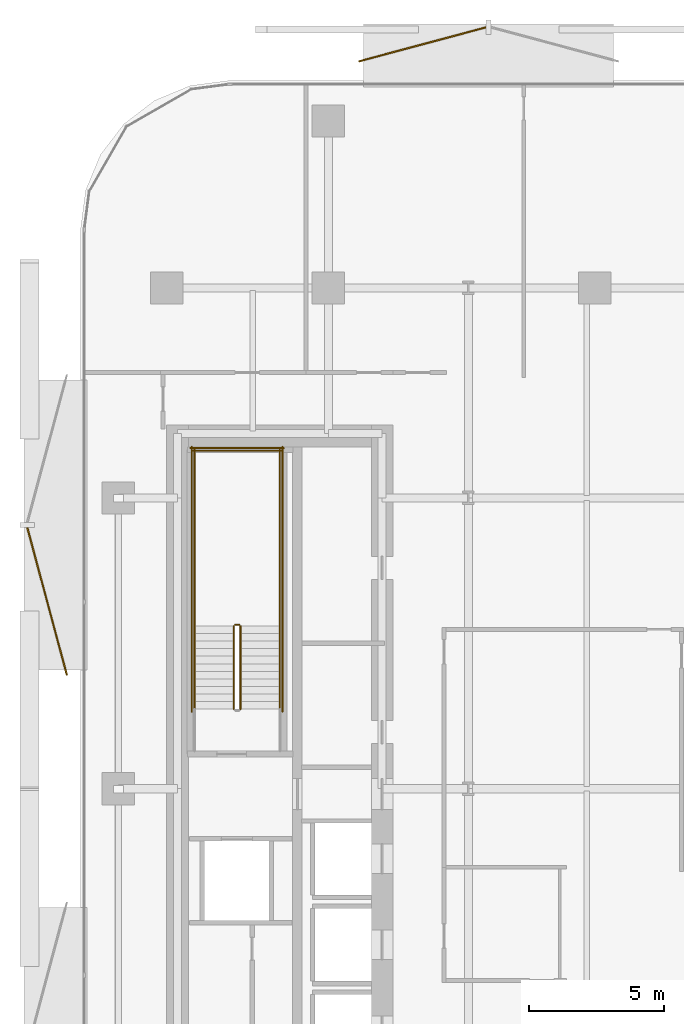
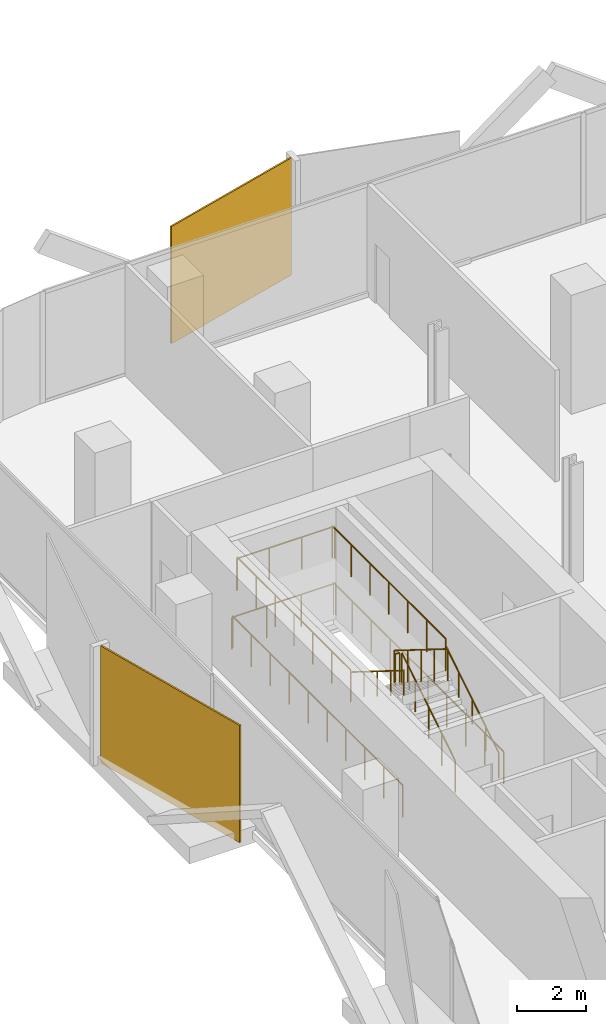
# One storey, part 15 of 16: 11 railings, 2 coverings.
"""IFC4 building model written with IfcOpenShell, lengths in metres."""

from ifc_helpers import new_model, si_unit, direction, frame, origin, origin_2d, place, context, subcontext, project, spatial, rectangle, circle, extrude, material, layer, layer_set, type_object, element, save


model = new_model("IFC4")

# Units and contexts
model_context = context("Model", 3, precision=1e-05, world=origin(), true_north=direction((0.0, 1.0)))
body_context = subcontext(model_context, "Body", "Model", "MODEL_VIEW")
ifc_project = project(units=[si_unit("LENGTHUNIT", "METRE"), si_unit("AREAUNIT", "SQUARE_METRE"), si_unit("VOLUMEUNIT", "CUBIC_METRE"), si_unit("PLANEANGLEUNIT", "RADIAN"), si_unit("MASSUNIT", "GRAM", prefix="KILO")], contexts=[model_context])

# Site, building, storey
site_placement = place(None, origin())
site = spatial("IfcSite", under=ifc_project, at=site_placement, CompositionType="ELEMENT")
building_placement = place(site_placement, origin())
building = spatial("IfcBuilding", under=site, at=building_placement, Name="Khairoan Windgate Tower", CompositionType="ELEMENT")
storey_placement = place(building_placement, frame((0.0, 0.0, 139.39990234375)))
storey = spatial("IfcBuildingStorey", under=building, at=storey_placement, Name="L32", CompositionType="ELEMENT", Elevation=139.39990234375)

# Coverings
ifc_material_1 = material(Name="Anodised Bronze Aluminium 6063-T6", Category="aluminium")
ifc_layer = layer(ifc_material_1, 0.054931640625, Name="Anodised Bronze Aluminium 6063-T6")
ifc_layer_set = layer_set([ifc_layer], Name="Anodised Bronze Aluminium 6063-T6")
covering_type = type_object("IfcCoveringType", Name="Perforated Bronze-Ceramic Folded Solar Screen Cladding BSC-1", PredefinedType="CLADDING", material=ifc_layer_set)
covering_1_placement = place(storey_placement, frame((-24.8447265625, 6.961669921875, -0.099609375), z_axis=(0.0, 0.0, 1.0), x_axis=(-0.258819045103, 0.965925826289, 0.0)))
element("IfcCovering", 1, at=covering_1_placement, inside=storey, type_object=covering_type, Name="L32 Folded Bronze Solar Screen Facet 204L", PredefinedType="CLADDING", context=body_context, shape_type="SweptSolid", body=[
    extrude(rectangle(XDim=5.680908203125, YDim=0.054931640625, at=origin_2d()), origin(), (0.0, 0.0, 1.0), 4.139892578125),
])
covering_2_placement = place(storey_placement, frame((-10.90087890625, 27.646240234375, -0.099609375), z_axis=(0.0, 0.0, 1.0), x_axis=(0.965925826289, 0.258819045103, 0.0)))
element("IfcCovering", 2, at=covering_2_placement, inside=storey, type_object=covering_type, Name="L32 Folded Bronze Solar Screen Facet 205L", PredefinedType="CLADDING", context=body_context, shape_type="SweptSolid", body=[
    extrude(rectangle(XDim=4.89794921875, YDim=0.054931640625, at=origin_2d()), origin(), (0.0, 0.0, 1.0), 4.139892578125),
])

# Railings
ifc_material_2 = material(Name="Anodised Bronze Aluminium 6063-T6", Category="aluminium")
railing_type_1 = type_object("IfcRailingType", Name="Stair Wall Handrail SHR-900", PredefinedType="HANDRAIL", material=ifc_material_2)
railing_1_placement = place(storey_placement, frame((-16.199951171875, 2.9599609375, 0.175048828125)))
element("IfcRailing", 3, at=railing_1_placement, inside=storey, type_object=railing_type_1, Name="L32 ST2 stair handrail 1", PredefinedType="HANDRAIL", context=body_context, shape_type="SweptSolid", body=[
    extrude(circle(Radius=0.02392578125, at=origin_2d()), frame((0.0, 0.0, 0.8759765625), z_axis=(0.0, 0.847998304005, 0.529998940003), x_axis=(-1.0, 0.0, 0.0)), (0.0, 0.0, 1.0), 3.632080078125),
    extrude(circle(Radius=0.02099609375, at=origin_2d()), origin(), (0.0, 0.0, 1.0), 0.851806640625),
    extrude(circle(Radius=0.02099609375, at=origin_2d()), frame((0.0, 0.77001953125, 0.481201171875)), (0.0, 0.0, 1.0), 0.851806640625),
    extrude(circle(Radius=0.02099609375, at=origin_2d()), frame((0.0, 1.5400390625, 0.96240234375)), (0.0, 0.0, 1.0), 0.851806640625),
    extrude(circle(Radius=0.02099609375, at=origin_2d()), frame((0.0, 2.31005859375, 1.44384765625)), (0.0, 0.0, 1.0), 0.851806640625),
    extrude(circle(Radius=0.02099609375, at=origin_2d()), frame((0.0, 3.080078125, 1.925048828125)), (0.0, 0.0, 1.0), 0.851806640625),
])
railing_2_placement = place(storey_placement, frame((-19.3701171875, 6.0400390625, 2.275146484375)))
element("IfcRailing", 4, at=railing_2_placement, inside=storey, type_object=railing_type_1, Name="L32 ST2 stair handrail 2", PredefinedType="HANDRAIL", context=body_context, shape_type="SweptSolid", body=[
    extrude(circle(Radius=0.02392578125, at=origin_2d()), frame((0.0, 0.0, 0.8759765625), z_axis=(0.0, -0.847998304005, 0.529998940003), x_axis=(1.0, 0.0, 0.0)), (0.0, 0.0, 1.0), 3.632080078125),
    extrude(circle(Radius=0.02099609375, at=origin_2d()), origin(), (0.0, 0.0, 1.0), 0.851806640625),
    extrude(circle(Radius=0.02099609375, at=origin_2d()), frame((0.0, -0.77001953125, 0.481201171875)), (0.0, 0.0, 1.0), 0.851806640625),
    extrude(circle(Radius=0.02099609375, at=origin_2d()), frame((0.0, -1.5400390625, 0.96240234375)), (0.0, 0.0, 1.0), 0.851806640625),
    extrude(circle(Radius=0.02099609375, at=origin_2d()), frame((0.0, -2.31005859375, 1.44384765625)), (0.0, 0.0, 1.0), 0.851806640625),
    extrude(circle(Radius=0.02099609375, at=origin_2d()), frame((0.0, -3.080078125, 1.925048828125)), (0.0, 0.0, 1.0), 0.851806640625),
])
ifc_material_3 = material(Name="Steel S355", Category="steel")
railing_type_2 = type_object("IfcRailingType", Name="Stairwell Safety Guardrail SGR-1150", PredefinedType="GUARDRAIL", material=ifc_material_3)
railing_3_placement = place(storey_placement, frame((-17.659912109375, 2.9599609375, 0.175048828125)))
element("IfcRailing", 5, at=railing_3_placement, inside=storey, type_object=railing_type_2, Name="L32 ST2 stair guard 1", PredefinedType="GUARDRAIL", context=body_context, shape_type="SweptSolid", body=[
    extrude(circle(Radius=0.02392578125, at=origin_2d()), frame((0.0, 0.0, 1.1259765625), z_axis=(0.0, 0.847998304005, 0.529998940003), x_axis=(-1.0, 0.0, 0.0)), (0.0, 0.0, 1.0), 3.632080078125),
    extrude(circle(Radius=0.02099609375, at=origin_2d()), origin(), (0.0, 0.0, 1.0), 1.101806640625),
    extrude(circle(Radius=0.02099609375, at=origin_2d()), frame((0.0, 0.77001953125, 0.481201171875)), (0.0, 0.0, 1.0), 1.101806640625),
    extrude(circle(Radius=0.02099609375, at=origin_2d()), frame((0.0, 1.5400390625, 0.96240234375)), (0.0, 0.0, 1.0), 1.101806640625),
    extrude(circle(Radius=0.02099609375, at=origin_2d()), frame((0.0, 2.31005859375, 1.44384765625)), (0.0, 0.0, 1.0), 1.101806640625),
    extrude(circle(Radius=0.02099609375, at=origin_2d()), frame((0.0, 3.080078125, 1.925048828125)), (0.0, 0.0, 1.0), 1.101806640625),
])
railing_4_placement = place(storey_placement, frame((-17.7099609375, 6.090087890625, 2.10009765625)))
element("IfcRailing", 6, at=railing_4_placement, inside=storey, type_object=railing_type_2, Name="L32 ST2 stair guard 2", PredefinedType="GUARDRAIL", context=body_context, shape_type="SweptSolid", body=[
    extrude(circle(Radius=0.02392578125, at=origin_2d()), frame((0.0, 0.0, 1.1259765625), z_axis=(-1.0, 0.0, 0.0), x_axis=(0.0, -1.0, 0.0)), (0.0, 0.0, 1.0), 0.150146484375),
    extrude(circle(Radius=0.02099609375, at=origin_2d()), origin(), (0.0, 0.0, 1.0), 1.101806640625),
    extrude(circle(Radius=0.02099609375, at=origin_2d()), frame((-0.150146484375, 0.0, 0.0)), (0.0, 0.0, 1.0), 1.101806640625),
])
for number, where, name in (
    (7, (-16.199951171875, 6.0400390625, 2.10009765625), "L32 ST2 stair guard 3"),
    (8, (-19.3701171875, 6.0400390625, 2.10009765625), "L32 ST2 stair guard 4"),
):
    element("IfcRailing", number, at=place(storey_placement, frame(where)), inside=storey, type_object=railing_type_2, Name=name, PredefinedType="GUARDRAIL", context=body_context, shape_type="SweptSolid", body=[
        extrude(circle(Radius=0.02392578125, at=origin_2d()), frame((0.0, 0.0, 1.1259765625), z_axis=(0.0, 1.0, 0.0), x_axis=(-1.0, 0.0, 0.0)), (0.0, 0.0, 1.0), 6.56005859375),
        extrude(circle(Radius=0.02099609375, at=origin_2d()), origin(), (0.0, 0.0, 1.0), 1.101806640625),
        extrude(circle(Radius=0.02099609375, at=origin_2d()), frame((0.0, 1.09326171875, 0.0)), (0.0, 0.0, 1.0), 1.101806640625),
        extrude(circle(Radius=0.02099609375, at=origin_2d()), frame((0.0, 2.186767578125, 0.0)), (0.0, 0.0, 1.0), 1.101806640625),
        extrude(circle(Radius=0.02099609375, at=origin_2d()), frame((0.0, 3.280029296875, 0.0)), (0.0, 0.0, 1.0), 1.101806640625),
        extrude(circle(Radius=0.02099609375, at=origin_2d()), frame((0.0, 4.373291015625, 0.0)), (0.0, 0.0, 1.0), 1.101806640625),
        extrude(circle(Radius=0.02099609375, at=origin_2d()), frame((0.0, 5.466796875, 0.0)), (0.0, 0.0, 1.0), 1.101806640625),
        extrude(circle(Radius=0.02099609375, at=origin_2d()), frame((0.0, 6.56005859375, 0.0)), (0.0, 0.0, 1.0), 1.101806640625),
    ])
railing_5_placement = place(storey_placement, frame((-16.14990234375, 12.550048828125, 2.10009765625)))
element("IfcRailing", 9, at=railing_5_placement, inside=storey, type_object=railing_type_2, Name="L32 ST2 stair guard 5", PredefinedType="GUARDRAIL", context=body_context, shape_type="SweptSolid", body=[
    extrude(circle(Radius=0.02392578125, at=origin_2d()), frame((0.0, 0.0, 1.1259765625), z_axis=(-1.0, 0.0, 0.0), x_axis=(0.0, -1.0, 0.0)), (0.0, 0.0, 1.0), 3.27001953125),
    extrude(circle(Radius=0.02099609375, at=origin_2d()), origin(), (0.0, 0.0, 1.0), 1.101806640625),
    extrude(circle(Radius=0.02099609375, at=origin_2d()), frame((-1.090087890625, 0.0, 0.0)), (0.0, 0.0, 1.0), 1.101806640625),
    extrude(circle(Radius=0.02099609375, at=origin_2d()), frame((-2.179931640625, 0.0, 0.0)), (0.0, 0.0, 1.0), 1.101806640625),
    extrude(circle(Radius=0.02099609375, at=origin_2d()), frame((-3.27001953125, 0.0, 0.0)), (0.0, 0.0, 1.0), 1.101806640625),
])
railing_6_placement = place(storey_placement, frame((-17.909912109375, 6.0400390625, 2.275146484375)))
element("IfcRailing", 10, at=railing_6_placement, inside=storey, type_object=railing_type_2, Name="L32 ST2 stair guard 6", PredefinedType="GUARDRAIL", context=body_context, shape_type="SweptSolid", body=[
    extrude(circle(Radius=0.02392578125, at=origin_2d()), frame((0.0, 0.0, 1.1259765625), z_axis=(0.0, -0.847998304005, 0.529998940003), x_axis=(1.0, 0.0, 0.0)), (0.0, 0.0, 1.0), 3.632080078125),
    extrude(circle(Radius=0.02099609375, at=origin_2d()), origin(), (0.0, 0.0, 1.0), 1.101806640625),
    extrude(circle(Radius=0.02099609375, at=origin_2d()), frame((0.0, -0.77001953125, 0.481201171875)), (0.0, 0.0, 1.0), 1.101806640625),
    extrude(circle(Radius=0.02099609375, at=origin_2d()), frame((0.0, -1.5400390625, 0.96240234375)), (0.0, 0.0, 1.0), 1.101806640625),
    extrude(circle(Radius=0.02099609375, at=origin_2d()), frame((0.0, -2.31005859375, 1.44384765625)), (0.0, 0.0, 1.0), 1.101806640625),
    extrude(circle(Radius=0.02099609375, at=origin_2d()), frame((0.0, -3.080078125, 1.925048828125)), (0.0, 0.0, 1.0), 1.101806640625),
])
for number, where, name in (
    (11, (-16.10009765625, 2.860107421875, 0.0), "L32 ST2 stair guard 10"),
    (12, (-19.469970703125, 2.860107421875, 0.0), "L32 ST2 stair guard 11"),
):
    element("IfcRailing", number, at=place(storey_placement, frame(where)), inside=storey, type_object=railing_type_2, Name=name, PredefinedType="GUARDRAIL", context=body_context, shape_type="SweptSolid", body=[
        extrude(circle(Radius=0.02392578125, at=origin_2d()), frame((0.0, 0.0, 1.1259765625), z_axis=(0.0, 1.0, 0.0), x_axis=(-1.0, 0.0, 0.0)), (0.0, 0.0, 1.0), 9.83984375),
        extrude(circle(Radius=0.02099609375, at=origin_2d()), origin(), (0.0, 0.0, 1.0), 1.101806640625),
        extrude(circle(Radius=0.02099609375, at=origin_2d()), frame((0.0, 1.09326171875, 0.0)), (0.0, 0.0, 1.0), 1.101806640625),
        extrude(circle(Radius=0.02099609375, at=origin_2d()), frame((0.0, 2.1865234375, 0.0)), (0.0, 0.0, 1.0), 1.101806640625),
        extrude(circle(Radius=0.02099609375, at=origin_2d()), frame((0.0, 3.280029296875, 0.0)), (0.0, 0.0, 1.0), 1.101806640625),
        extrude(circle(Radius=0.02099609375, at=origin_2d()), frame((0.0, 4.373291015625, 0.0)), (0.0, 0.0, 1.0), 1.101806640625),
        extrude(circle(Radius=0.02099609375, at=origin_2d()), frame((0.0, 5.466552734375, 0.0)), (0.0, 0.0, 1.0), 1.101806640625),
        extrude(circle(Radius=0.02099609375, at=origin_2d()), frame((0.0, 6.559814453125, 0.0)), (0.0, 0.0, 1.0), 1.101806640625),
        extrude(circle(Radius=0.02099609375, at=origin_2d()), frame((0.0, 7.6533203125, 0.0)), (0.0, 0.0, 1.0), 1.101806640625),
        extrude(circle(Radius=0.02099609375, at=origin_2d()), frame((0.0, 8.74658203125, 0.0)), (0.0, 0.0, 1.0), 1.101806640625),
        extrude(circle(Radius=0.02099609375, at=origin_2d()), frame((0.0, 9.83984375, 0.0)), (0.0, 0.0, 1.0), 1.101806640625),
    ])
railing_7_placement = place(storey_placement, frame((-16.050048828125, 12.64990234375, 0.0)))
element("IfcRailing", 13, at=railing_7_placement, inside=storey, type_object=railing_type_2, Name="L32 ST2 stair guard 12", PredefinedType="GUARDRAIL", context=body_context, shape_type="SweptSolid", body=[
    extrude(circle(Radius=0.02392578125, at=origin_2d()), frame((0.0, 0.0, 1.1259765625), z_axis=(-1.0, 0.0, 0.0), x_axis=(0.0, -1.0, 0.0)), (0.0, 0.0, 1.0), 3.469970703125),
    extrude(circle(Radius=0.02099609375, at=origin_2d()), origin(), (0.0, 0.0, 1.0), 1.101806640625),
    extrude(circle(Radius=0.02099609375, at=origin_2d()), frame((-1.15673828125, 0.0, 0.0)), (0.0, 0.0, 1.0), 1.101806640625),
    extrude(circle(Radius=0.02099609375, at=origin_2d()), frame((-2.313232421875, 0.0, 0.0)), (0.0, 0.0, 1.0), 1.101806640625),
    extrude(circle(Radius=0.02099609375, at=origin_2d()), frame((-3.469970703125, 0.0, 0.0)), (0.0, 0.0, 1.0), 1.101806640625),
])

save(model, "model.ifc")
